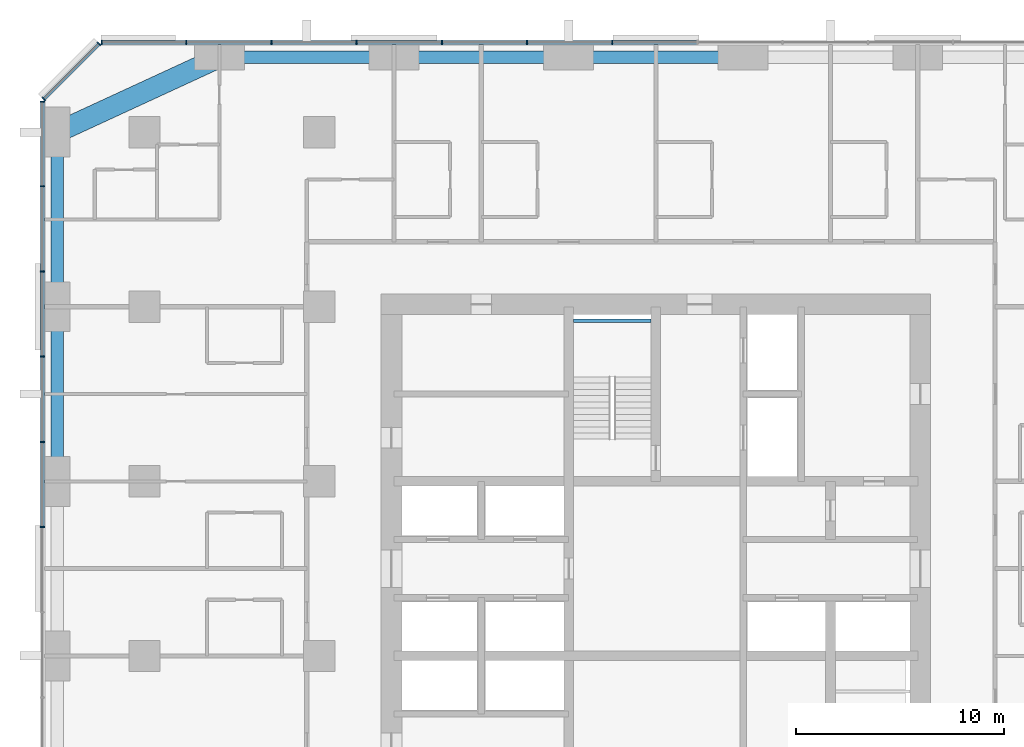
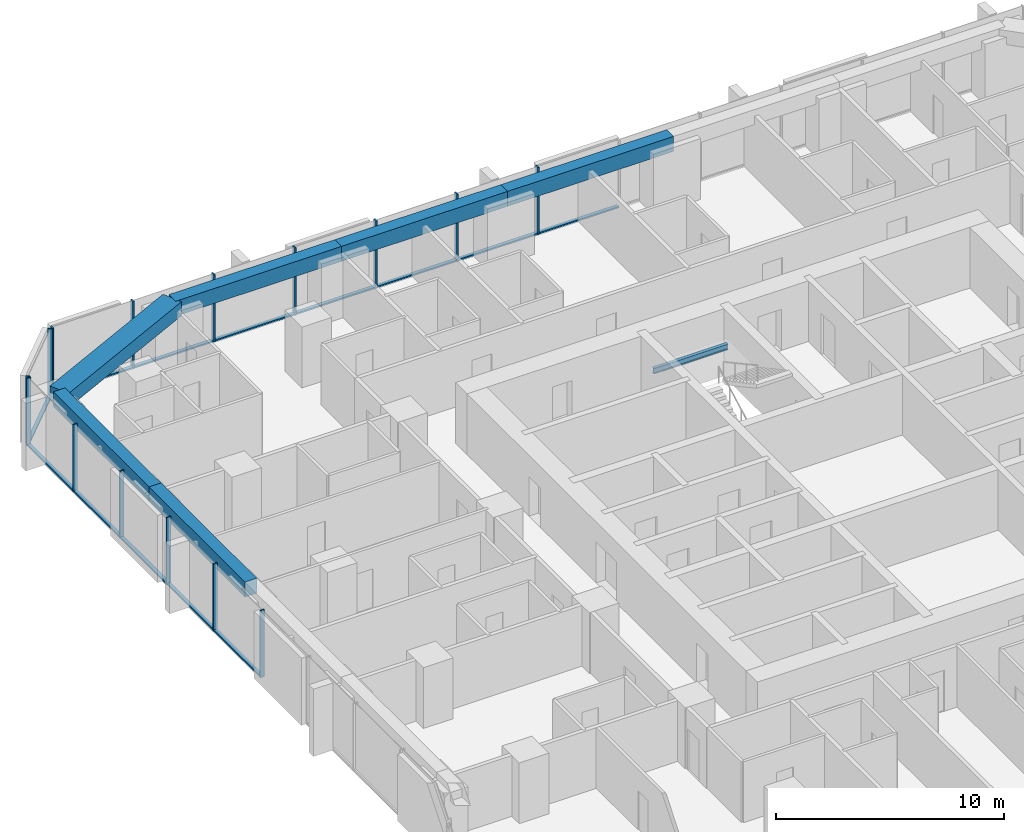
# One storey, part 5 of 14: 28 members, 7 beams, 3 elements without a shape of their own.
"""IFC4 building model written with IfcOpenShell, lengths in metres."""

from ifc_helpers import new_model, si_unit, direction, frame, origin, origin_2d, place, context, subcontext, project, spatial, rectangle, i_section, extrude, material, material_profile, profile_set, type_object, element, aggregate, save


model = new_model("IFC4")

# Units and contexts
model_context = context("Model", 3, precision=1e-05, world=origin(), true_north=direction((0.0, 1.0)))
body_context = subcontext(model_context, "Body", "Model", "MODEL_VIEW")
ifc_project = project(units=[si_unit("LENGTHUNIT", "METRE"), si_unit("AREAUNIT", "SQUARE_METRE"), si_unit("VOLUMEUNIT", "CUBIC_METRE"), si_unit("PLANEANGLEUNIT", "RADIAN"), si_unit("MASSUNIT", "GRAM", prefix="KILO")], contexts=[model_context])

# Site, building, storey
site_placement = place(None, origin())
site = spatial("IfcSite", under=ifc_project, at=site_placement, CompositionType="ELEMENT")
building_placement = place(site_placement, origin())
building = spatial("IfcBuilding", under=site, at=building_placement, Name="Dunama Terrace Hotel", CompositionType="ELEMENT")
storey_placement = place(building_placement, frame((0.0, 0.0, 136.800048828125)))
storey = spatial("IfcBuildingStorey", under=building, at=storey_placement, Name="L35", CompositionType="ELEMENT", Elevation=136.800048828125)

# Curtain wall, members
ifc_material_1 = material(Name="Aluminium curtain wall system", Category="aluminium")
curtain_wall_type = type_object("IfcCurtainWallType", Name="Unitised fritted glass wall CW-B", PredefinedType="NOTDEFINED", material=ifc_material_1)
curtain_wall_1_placement = place(storey_placement, origin())
curtain_wall_1 = element("IfcCurtainWall", 1, at=curtain_wall_1_placement, inside=storey, type_object=curtain_wall_type, Name="Unitised fritted glass wall CW-B L35", PredefinedType="NOTDEFINED")
ifc_material_2 = material(Name="Aluminium mullion", Category="aluminium")
ifc_material_profile_1 = material_profile(ifc_material_2, rectangle(XDim=0.06494140625, YDim=0.219970703125, at=origin_2d()), Name="CWB MULLION 65X220")
ifc_profile_set_1 = profile_set([ifc_material_profile_1], Name="Aluminium mullion")
member_type_1 = type_object("IfcMemberType", Name="CWB mullion 65x220", PredefinedType="MULLION", material=ifc_profile_set_1)
member_1_placement = place(storey_placement, frame((27.300048828125, 54.7099609375, 0.0), z_axis=(0.0, 0.0, 1.0), x_axis=(-1.0, 0.0, 0.0)))
member_1 = element("IfcMember", 2, at=member_1_placement, type_object=member_type_1, Name="CWB mullion", PredefinedType="MULLION", context=body_context, shape_type="SweptSolid", body=[
    extrude(rectangle(XDim=0.06494140625, YDim=0.219970703125, at=origin_2d()), origin(), (0.0, 0.0, 1.0), 3.599853515625),
])
member_2_placement = place(storey_placement, frame((23.199951171875, 54.7099609375, 0.0), z_axis=(0.0, 0.0, 1.0), x_axis=(-1.0, 0.0, 0.0)))
member_2 = element("IfcMember", 3, at=member_2_placement, type_object=member_type_1, Name="CWB mullion", PredefinedType="MULLION", context=body_context, shape_type="SweptSolid", body=[
    extrude(rectangle(XDim=0.06494140625, YDim=0.219970703125, at=origin_2d()), origin(), (0.0, 0.0, 1.0), 3.599853515625),
])
member_3_placement = place(storey_placement, frame((19.10009765625, 54.7099609375, 0.0), z_axis=(0.0, 0.0, 1.0), x_axis=(-1.0, 0.0, 0.0)))
member_3 = element("IfcMember", 4, at=member_3_placement, type_object=member_type_1, Name="CWB mullion", PredefinedType="MULLION", context=body_context, shape_type="SweptSolid", body=[
    extrude(rectangle(XDim=0.06494140625, YDim=0.219970703125, at=origin_2d()), origin(), (0.0, 0.0, 1.0), 3.599853515625),
])
member_4_placement = place(storey_placement, frame((15.0, 54.7099609375, 0.0), z_axis=(0.0, 0.0, 1.0), x_axis=(-1.0, 0.0, 0.0)))
member_4 = element("IfcMember", 5, at=member_4_placement, type_object=member_type_1, Name="CWB mullion", PredefinedType="MULLION", context=body_context, shape_type="SweptSolid", body=[
    extrude(rectangle(XDim=0.06494140625, YDim=0.219970703125, at=origin_2d()), origin(), (0.0, 0.0, 1.0), 3.599853515625),
])
member_5_placement = place(storey_placement, frame((10.89990234375, 54.7099609375, 0.0), z_axis=(0.0, 0.0, 1.0), x_axis=(-1.0, 0.0, 0.0)))
member_5 = element("IfcMember", 6, at=member_5_placement, type_object=member_type_1, Name="CWB mullion", PredefinedType="MULLION", context=body_context, shape_type="SweptSolid", body=[
    extrude(rectangle(XDim=0.06494140625, YDim=0.219970703125, at=origin_2d()), origin(), (0.0, 0.0, 1.0), 3.599853515625),
])
member_6_placement = place(storey_placement, frame((6.800048828125, 54.7099609375, 0.0), z_axis=(0.0, 0.0, 1.0), x_axis=(-1.0, 0.0, 0.0)))
member_6 = element("IfcMember", 7, at=member_6_placement, type_object=member_type_1, Name="CWB mullion", PredefinedType="MULLION", context=body_context, shape_type="SweptSolid", body=[
    extrude(rectangle(XDim=0.06494140625, YDim=0.219970703125, at=origin_2d()), origin(), (0.0, 0.0, 1.0), 3.599853515625),
])
member_7_placement = place(storey_placement, frame((2.73291015625, 54.7099609375, 0.0), z_axis=(0.0, 0.0, 1.0), x_axis=(-1.0, 0.0, 0.0)))
member_7 = element("IfcMember", 8, at=member_7_placement, type_object=member_type_1, Name="CWB mullion", PredefinedType="MULLION", context=body_context, shape_type="SweptSolid", body=[
    extrude(rectangle(XDim=0.06494140625, YDim=0.219970703125, at=origin_2d()), origin(), (0.0, 0.0, 1.0), 3.599853515625),
])

curtain_wall_2_placement = place(storey_placement, origin())
curtain_wall_2 = element("IfcCurtainWall", 9, at=curtain_wall_2_placement, inside=storey, type_object=curtain_wall_type, Name="Unitised fritted glass wall CW-B L35", PredefinedType="NOTDEFINED")
member_8_placement = place(storey_placement, frame((2.59912109375, 54.655029296875, 0.0), z_axis=(0.0, 0.0, 1.0), x_axis=(-0.707106781187, -0.707106781187, 0.0)))
member_8 = element("IfcMember", 10, at=member_8_placement, type_object=member_type_1, Name="CWB mullion", PredefinedType="MULLION", context=body_context, shape_type="SweptSolid", body=[
    extrude(rectangle(XDim=0.06494140625, YDim=0.219970703125, at=origin_2d()), origin(), (0.0, 0.0, 1.0), 3.599853515625),
])
member_9_placement = place(storey_placement, frame((-0.054931640625, 52.0009765625, 0.0), z_axis=(0.0, 0.0, 1.0), x_axis=(-0.707106781187, -0.707106781187, 0.0)))
member_9 = element("IfcMember", 11, at=member_9_placement, type_object=member_type_1, Name="CWB mullion", PredefinedType="MULLION", context=body_context, shape_type="SweptSolid", body=[
    extrude(rectangle(XDim=0.06494140625, YDim=0.219970703125, at=origin_2d()), origin(), (0.0, 0.0, 1.0), 3.599853515625),
])

curtain_wall_3_placement = place(storey_placement, origin())
curtain_wall_3 = element("IfcCurtainWall", 12, at=curtain_wall_3_placement, inside=storey, type_object=curtain_wall_type, Name="Unitised fritted glass wall CW-B L35", PredefinedType="NOTDEFINED")
member_10_placement = place(storey_placement, frame((-0.110107421875, 51.866943359375, 0.0), z_axis=(0.0, 0.0, 1.0), x_axis=(0.0, -1.0, 0.0)))
member_10 = element("IfcMember", 13, at=member_10_placement, type_object=member_type_1, Name="CWB mullion", PredefinedType="MULLION", context=body_context, shape_type="SweptSolid", body=[
    extrude(rectangle(XDim=0.06494140625, YDim=0.219970703125, at=origin_2d()), origin(), (0.0, 0.0, 1.0), 3.599853515625),
])
member_11_placement = place(storey_placement, frame((-0.110107421875, 47.800048828125, 0.0), z_axis=(0.0, 0.0, 1.0), x_axis=(0.0, -1.0, 0.0)))
member_11 = element("IfcMember", 14, at=member_11_placement, type_object=member_type_1, Name="CWB mullion", PredefinedType="MULLION", context=body_context, shape_type="SweptSolid", body=[
    extrude(rectangle(XDim=0.06494140625, YDim=0.219970703125, at=origin_2d()), origin(), (0.0, 0.0, 1.0), 3.599853515625),
])
member_12_placement = place(storey_placement, frame((-0.110107421875, 43.699951171875, 0.0), z_axis=(0.0, 0.0, 1.0), x_axis=(0.0, -1.0, 0.0)))
member_12 = element("IfcMember", 15, at=member_12_placement, type_object=member_type_1, Name="CWB mullion", PredefinedType="MULLION", context=body_context, shape_type="SweptSolid", body=[
    extrude(rectangle(XDim=0.06494140625, YDim=0.219970703125, at=origin_2d()), origin(), (0.0, 0.0, 1.0), 3.599853515625),
])
member_13_placement = place(storey_placement, frame((-0.110107421875, 39.60009765625, 0.0), z_axis=(0.0, 0.0, 1.0), x_axis=(0.0, -1.0, 0.0)))
member_13 = element("IfcMember", 16, at=member_13_placement, type_object=member_type_1, Name="CWB mullion", PredefinedType="MULLION", context=body_context, shape_type="SweptSolid", body=[
    extrude(rectangle(XDim=0.06494140625, YDim=0.219970703125, at=origin_2d()), origin(), (0.0, 0.0, 1.0), 3.599853515625),
])
member_14_placement = place(storey_placement, frame((-0.110107421875, 35.5, 0.0), z_axis=(0.0, 0.0, 1.0), x_axis=(0.0, -1.0, 0.0)))
member_14 = element("IfcMember", 17, at=member_14_placement, type_object=member_type_1, Name="CWB mullion", PredefinedType="MULLION", context=body_context, shape_type="SweptSolid", body=[
    extrude(rectangle(XDim=0.06494140625, YDim=0.219970703125, at=origin_2d()), origin(), (0.0, 0.0, 1.0), 3.599853515625),
])
member_15_placement = place(storey_placement, frame((-0.110107421875, 31.39990234375, 0.0), z_axis=(0.0, 0.0, 1.0), x_axis=(0.0, -1.0, 0.0)))
member_15 = element("IfcMember", 18, at=member_15_placement, type_object=member_type_1, Name="CWB mullion", PredefinedType="MULLION", context=body_context, shape_type="SweptSolid", body=[
    extrude(rectangle(XDim=0.06494140625, YDim=0.219970703125, at=origin_2d()), origin(), (0.0, 0.0, 1.0), 3.599853515625),
])

# Member
ifc_material_3 = material(Name="Aluminium transom", Category="aluminium")
ifc_material_profile_2 = material_profile(ifc_material_3, rectangle(XDim=0.179931640625, YDim=0.080078125, at=origin_2d()), Name="CWB TRANSOM 180X80")
ifc_profile_set_2 = profile_set([ifc_material_profile_2], Name="Aluminium transom")
member_type_2 = type_object("IfcMemberType", Name="CWB transom 180x80", PredefinedType="USERDEFINED", material=ifc_profile_set_2)
member_16_placement = place(storey_placement, frame((31.366943359375, 54.7099609375, 0.0400390625), z_axis=(-1.0, 0.0, 0.0), x_axis=(0.0, -1.0, 0.0)))
member_16 = element("IfcMember", 19, at=member_16_placement, type_object=member_type_2, Name="CWB transom", ObjectType="TRANSOM", PredefinedType="USERDEFINED", context=body_context, shape_type="SweptSolid", body=[
    extrude(rectangle(XDim=0.179931640625, YDim=0.080078125, at=origin_2d()), origin(), (0.0, 0.0, 1.0), 4.034912109375),
])

member_17_placement = place(storey_placement, frame((27.26806640625, 54.7099609375, 0.0400390625), z_axis=(-1.0, 0.0, 0.0), x_axis=(0.0, -1.0, 0.0)))
member_17 = element("IfcMember", 20, at=member_17_placement, type_object=member_type_2, Name="CWB transom", ObjectType="TRANSOM", PredefinedType="USERDEFINED", context=body_context, shape_type="SweptSolid", body=[
    extrude(rectangle(XDim=0.179931640625, YDim=0.080078125, at=origin_2d()), origin(), (0.0, 0.0, 1.0), 4.03515625),
])

member_18_placement = place(storey_placement, frame((23.16796875, 54.7099609375, 0.0400390625), z_axis=(-1.0, 0.0, 0.0), x_axis=(0.0, -1.0, 0.0)))
member_18 = element("IfcMember", 21, at=member_18_placement, type_object=member_type_2, Name="CWB transom", ObjectType="TRANSOM", PredefinedType="USERDEFINED", context=body_context, shape_type="SweptSolid", body=[
    extrude(rectangle(XDim=0.179931640625, YDim=0.080078125, at=origin_2d()), origin(), (0.0, 0.0, 1.0), 4.034912109375),
])

member_19_placement = place(storey_placement, frame((19.068115234375, 54.7099609375, 0.0400390625), z_axis=(-1.0, 0.0, 0.0), x_axis=(0.0, -1.0, 0.0)))
member_19 = element("IfcMember", 22, at=member_19_placement, type_object=member_type_2, Name="CWB transom", ObjectType="TRANSOM", PredefinedType="USERDEFINED", context=body_context, shape_type="SweptSolid", body=[
    extrude(rectangle(XDim=0.179931640625, YDim=0.080078125, at=origin_2d()), origin(), (0.0, 0.0, 1.0), 4.0361328125),
])

member_20_placement = place(storey_placement, frame((14.968017578125, 54.7099609375, 0.0400390625), z_axis=(-1.0, 0.0, 0.0), x_axis=(0.0, -1.0, 0.0)))
member_20 = element("IfcMember", 23, at=member_20_placement, type_object=member_type_2, Name="CWB transom", ObjectType="TRANSOM", PredefinedType="USERDEFINED", context=body_context, shape_type="SweptSolid", body=[
    extrude(rectangle(XDim=0.179931640625, YDim=0.080078125, at=origin_2d()), origin(), (0.0, 0.0, 1.0), 4.0361328125),
])

member_21_placement = place(storey_placement, frame((10.866943359375, 54.7099609375, 0.0400390625), z_axis=(-1.0, 0.0, 0.0), x_axis=(0.0, -1.0, 0.0)))
member_21 = element("IfcMember", 24, at=member_21_placement, type_object=member_type_2, Name="CWB transom", ObjectType="TRANSOM", PredefinedType="USERDEFINED", context=body_context, shape_type="SweptSolid", body=[
    extrude(rectangle(XDim=0.179931640625, YDim=0.080078125, at=origin_2d()), origin(), (0.0, 0.0, 1.0), 4.033935546875),
])

member_22_placement = place(storey_placement, frame((6.76806640625, 54.7099609375, 0.0400390625), z_axis=(-1.0, 0.0, 0.0), x_axis=(0.0, -1.0, 0.0)))
member_22 = element("IfcMember", 25, at=member_22_placement, type_object=member_type_2, Name="CWB transom", ObjectType="TRANSOM", PredefinedType="USERDEFINED", context=body_context, shape_type="SweptSolid", body=[
    extrude(rectangle(XDim=0.179931640625, YDim=0.080078125, at=origin_2d()), origin(), (0.0, 0.0, 1.0), 4.003173828125),
])

aggregate(curtain_wall_1, [member_1, member_2, member_3, member_4, member_5, member_6, member_7, member_16, member_17, member_18, member_19, member_20, member_21, member_22])

member_23_placement = place(storey_placement, frame((2.575927734375, 54.632080078125, 0.0400390625), z_axis=(-0.707073683909, -0.707139876915, 0.0), x_axis=(0.707139876915, -0.707073683909, 0.0)))
member_23 = element("IfcMember", 26, at=member_23_placement, type_object=member_type_2, Name="CWB transom", ObjectType="TRANSOM", PredefinedType="USERDEFINED", context=body_context, shape_type="SweptSolid", body=[
    extrude(rectangle(XDim=0.179931640625, YDim=0.080078125, at=origin_2d()), origin(), (0.0, 0.0, 1.0), 3.688232421875),
])

aggregate(curtain_wall_2, [member_8, member_9, member_23])

member_24_placement = place(storey_placement, frame((-0.110107421875, 51.8349609375, 0.0400390625), z_axis=(0.0, -1.0, 0.0), x_axis=(1.0, 0.0, 0.0)))
member_24 = element("IfcMember", 27, at=member_24_placement, type_object=member_type_2, Name="CWB transom", ObjectType="TRANSOM", PredefinedType="USERDEFINED", context=body_context, shape_type="SweptSolid", body=[
    extrude(rectangle(XDim=0.179931640625, YDim=0.080078125, at=origin_2d()), origin(), (0.0, 0.0, 1.0), 4.0029296875),
])

member_25_placement = place(storey_placement, frame((-0.110107421875, 47.76708984375, 0.0400390625), z_axis=(0.0, -1.0, 0.0), x_axis=(1.0, 0.0, 0.0)))
member_25 = element("IfcMember", 28, at=member_25_placement, type_object=member_type_2, Name="CWB transom", ObjectType="TRANSOM", PredefinedType="USERDEFINED", context=body_context, shape_type="SweptSolid", body=[
    extrude(rectangle(XDim=0.179931640625, YDim=0.080078125, at=origin_2d()), origin(), (0.0, 0.0, 1.0), 4.0341796875),
])

member_26_placement = place(storey_placement, frame((-0.110107421875, 43.6669921875, 0.0400390625), z_axis=(0.0, -1.0, 0.0), x_axis=(1.0, 0.0, 0.0)))
member_26 = element("IfcMember", 29, at=member_26_placement, type_object=member_type_2, Name="CWB transom", ObjectType="TRANSOM", PredefinedType="USERDEFINED", context=body_context, shape_type="SweptSolid", body=[
    extrude(rectangle(XDim=0.179931640625, YDim=0.080078125, at=origin_2d()), origin(), (0.0, 0.0, 1.0), 4.033935546875),
])

member_27_placement = place(storey_placement, frame((-0.110107421875, 39.56689453125, 0.0400390625), z_axis=(0.0, -1.0, 0.0), x_axis=(1.0, 0.0, 0.0)))
member_27 = element("IfcMember", 30, at=member_27_placement, type_object=member_type_2, Name="CWB transom", ObjectType="TRANSOM", PredefinedType="USERDEFINED", context=body_context, shape_type="SweptSolid", body=[
    extrude(rectangle(XDim=0.179931640625, YDim=0.080078125, at=origin_2d()), origin(), (0.0, 0.0, 1.0), 4.034912109375),
])

member_28_placement = place(storey_placement, frame((-0.110107421875, 35.468017578125, 0.0400390625), z_axis=(0.0, -1.0, 0.0), x_axis=(1.0, 0.0, 0.0)))
member_28 = element("IfcMember", 31, at=member_28_placement, type_object=member_type_2, Name="CWB transom", ObjectType="TRANSOM", PredefinedType="USERDEFINED", context=body_context, shape_type="SweptSolid", body=[
    extrude(rectangle(XDim=0.179931640625, YDim=0.080078125, at=origin_2d()), origin(), (0.0, 0.0, 1.0), 4.0361328125),
])

aggregate(curtain_wall_3, [member_10, member_11, member_12, member_13, member_14, member_15, member_24, member_25, member_26, member_27, member_28])

# Beams
ifc_material_4 = material(Name="Concrete C50/60", Category="concrete")
ifc_material_profile_3 = material_profile(ifc_material_4, rectangle(XDim=1.0, YDim=0.75, at=origin_2d()), Name="RC 1000x750")
ifc_profile_set_3 = profile_set([ifc_material_profile_3], Name="Concrete C50/60")
beam_type_1 = type_object("IfcBeamType", Name="Edge beam RC 1000x750", PredefinedType="SPANDREL", material=ifc_profile_set_3)
beam_1_placement = place(storey_placement, frame((8.39990234375, 54.0, 3.224853515625), z_axis=(-0.907951066374, -0.419076199598, 0.0), x_axis=(0.419076199598, -0.907951066374, 0.0)))
element("IfcBeam", 32, at=beam_1_placement, inside=storey, type_object=beam_type_1, Name="Corner edge beam under L36", PredefinedType="SPANDREL", context=body_context, shape_type="SweptSolid", body=[
    extrude(rectangle(XDim=1.0, YDim=0.75, at=origin_2d()), origin(), (0.0, 0.0, 1.0), 8.590576171875),
])
ifc_material_5 = material(Name="Concrete C40/50", Category="concrete")
ifc_material_profile_4 = material_profile(ifc_material_5, rectangle(XDim=0.60009765625, YDim=0.800048828125, at=origin_2d()), Name="RC 600x800")
ifc_profile_set_4 = profile_set([ifc_material_profile_4], Name="Concrete C40/50")
beam_type_2 = type_object("IfcBeamType", Name="Edge beam RC 600x800", PredefinedType="SPANDREL", material=ifc_profile_set_4)
for number, where, z_axis, x_axis, name in (
    (33, (0.60009765625, 33.60009765625, 3.199951171875), (0.0, 1.0, 0.0), (-1.0, 0.0, 0.0), "Edge beam under L36"),
    (34, (0.60009765625, 42.0, 3.199951171875), (0.0, 1.0, 0.0), (-1.0, 0.0, 0.0), "Edge beam under L36"),
):
    element("IfcBeam", number, at=place(storey_placement, frame(where, z_axis=z_axis, x_axis=x_axis)), inside=storey, type_object=beam_type_2, Name=name, PredefinedType="SPANDREL", context=body_context, shape_type="SweptSolid", body=[
        extrude(rectangle(XDim=0.60009765625, YDim=0.800048828125, at=origin_2d()), origin(), (0.0, 0.0, 1.0), 8.39990234375),
    ])
beam_2_placement = place(storey_placement, frame((8.39990234375, 54.0, 3.199951171875), z_axis=(1.0, 0.0, 0.0), x_axis=(0.0, 1.0, 0.0)))
element("IfcBeam", 35, at=beam_2_placement, inside=storey, type_object=beam_type_2, Name="Edge beam under L36", PredefinedType="SPANDREL", context=body_context, shape_type="SweptSolid", body=[
    extrude(rectangle(XDim=0.60009765625, YDim=0.800048828125, at=origin_2d()), origin(), (0.0, 0.0, 1.0), 8.400146484375),
])
beam_3_placement = place(storey_placement, frame((16.800048828125, 54.0, 3.199951171875), z_axis=(1.0, 0.0, 0.0), x_axis=(0.0, 1.0, 0.0)))
element("IfcBeam", 36, at=beam_3_placement, inside=storey, type_object=beam_type_2, Name="Edge beam under L36", PredefinedType="SPANDREL", context=body_context, shape_type="SweptSolid", body=[
    extrude(rectangle(XDim=0.60009765625, YDim=0.800048828125, at=origin_2d()), origin(), (0.0, 0.0, 1.0), 8.39990234375),
])
beam_4_placement = place(storey_placement, frame((25.199951171875, 54.0, 3.199951171875), z_axis=(1.0, 0.0, 0.0), x_axis=(0.0, 1.0, 0.0)))
element("IfcBeam", 37, at=beam_4_placement, inside=storey, type_object=beam_type_2, Name="Edge beam under L36", PredefinedType="SPANDREL", context=body_context, shape_type="SweptSolid", body=[
    extrude(rectangle(XDim=0.60009765625, YDim=0.800048828125, at=origin_2d()), origin(), (0.0, 0.0, 1.0), 8.400146484375),
])
ifc_material_6 = material(Name="Steel S355", Category="steel")
ifc_material_profile_5 = material_profile(ifc_material_6, i_section(OverallWidth=0.1650390625, OverallDepth=0.303466796875, WebThickness=0.006103515625, FlangeThickness=0.01025390625, FilletRadius=0.0087890625, at=origin_2d()), Name="UB 305x165x40")
ifc_profile_set_5 = profile_set([ifc_material_profile_5], Name="Steel S355")
beam_type_3 = type_object("IfcBeamType", Name="Stair beam UB 305x165x40", PredefinedType="BEAM", material=ifc_profile_set_5)
beam_5_placement = place(storey_placement, frame((25.425048828125, 41.3173828125, 1.4482421875), z_axis=(1.0, 0.0, 0.0), x_axis=(0.0, 1.0, 0.0)))
element("IfcBeam", 38, at=beam_5_placement, inside=storey, type_object=beam_type_3, Name="Stair landing beam ST1 L35", PredefinedType="BEAM", context=body_context, shape_type="SweptSolid", body=[
    extrude(i_section(OverallWidth=0.1650390625, OverallDepth=0.303466796875, WebThickness=0.006103515625, FlangeThickness=0.01025390625, FilletRadius=0.0087890625, at=origin_2d()), origin(), (0.0, 0.0, 1.0), 3.75),
])

save(model, "model.ifc")
